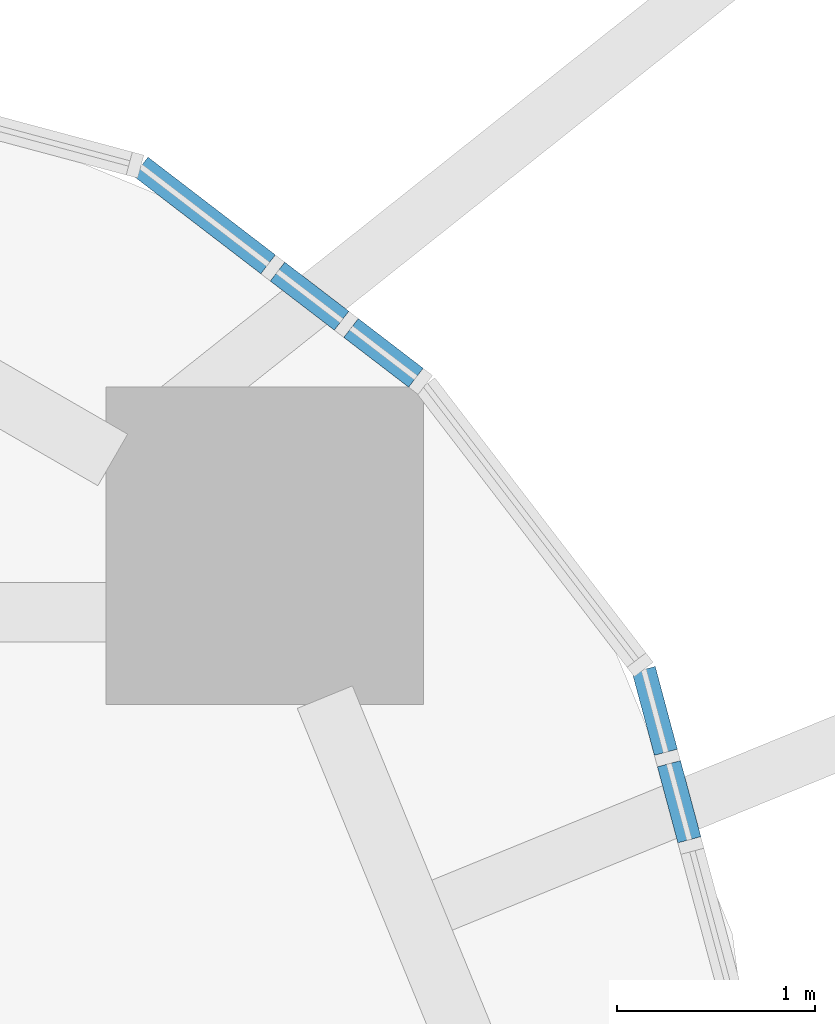
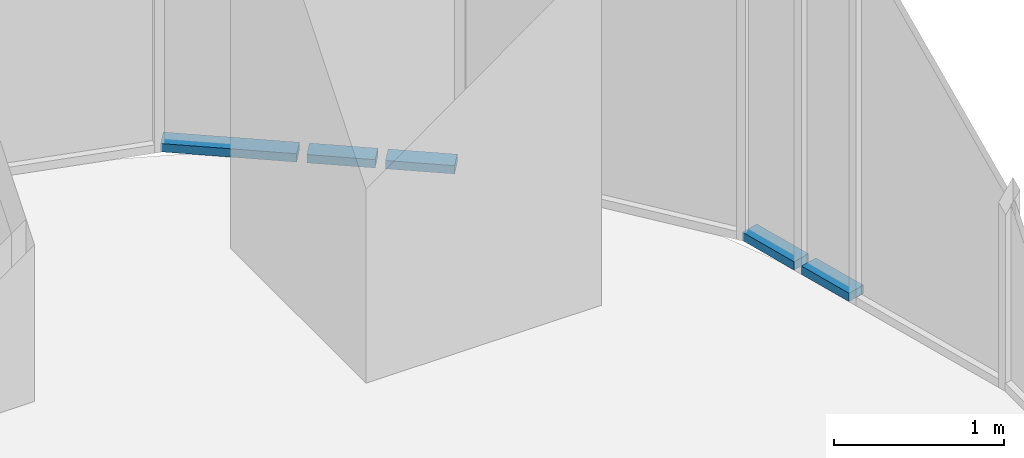
# One storey, part 18 of 36: 5 members, 5 elements without a shape of their own.
"""IFC4 building model written with IfcOpenShell, lengths in metres."""

from ifc_helpers import new_model, si_unit, direction, frame, origin, origin_2d, place, context, subcontext, project, spatial, rectangle, extrude, material, layer, layer_set, material_profile, profile_set, type_object, element, aggregate, save


model = new_model("IFC4")

# Units and contexts
model_context = context("Model", 3, precision=1e-05, world=origin(), true_north=direction((0.0, 1.0)))
body_context = subcontext(model_context, "Body", "Model", "MODEL_VIEW")
ifc_project = project(units=[si_unit("LENGTHUNIT", "METRE"), si_unit("AREAUNIT", "SQUARE_METRE"), si_unit("VOLUMEUNIT", "CUBIC_METRE"), si_unit("PLANEANGLEUNIT", "RADIAN"), si_unit("MASSUNIT", "GRAM", prefix="KILO")], contexts=[model_context])

# Site, building, storey
site_placement = place(None, origin())
site = spatial("IfcSite", under=ifc_project, at=site_placement, CompositionType="ELEMENT")
building_placement = place(site_placement, origin())
building = spatial("IfcBuilding", under=site, at=building_placement, Name="Marenta Gate Hotel Tower", CompositionType="ELEMENT")
storey_placement = place(building_placement, frame((0.0, 0.0, 144.5)))
storey = spatial("IfcBuildingStorey", under=building, at=storey_placement, Name="L33", CompositionType="ELEMENT", Elevation=144.5)

# Curtain wall, member
ifc_material_1 = material(Name="Tinted insulated glass in bronze anodised frame", Category="glass")
ifc_layer = layer(ifc_material_1, 0.1201171875)
ifc_layer_set = layer_set([ifc_layer], Name="Tinted insulated glass in bronze anodised frame")
curtain_wall_type = type_object("IfcCurtainWallType", Name="Tower unitised curtain wall CW1", PredefinedType="NOTDEFINED", material=ifc_layer_set)
curtain_wall_1_placement = place(storey_placement, origin())
curtain_wall_1 = element("IfcCurtainWall", 1, at=curtain_wall_1_placement, inside=storey, type_object=curtain_wall_type, Name="CW1 run G37", PredefinedType="NOTDEFINED")
ifc_material_2 = material(Name="Bronze anodised aluminium", Category="aluminium")
ifc_material_profile = material_profile(ifc_material_2, rectangle(XDim=0.1201171875, YDim=0.06005859375, at=origin_2d()), Name="Transom CW1 60x120 bronze anodised aluminium")
ifc_profile_set = profile_set([ifc_material_profile], Name="Bronze anodised aluminium")
member_type = type_object("IfcMemberType", Name="Transom CW1 60x120 bronze anodised aluminium", PredefinedType="USERDEFINED", material=ifc_profile_set)
member_1_placement = place(storey_placement, frame((26.97607421875, 24.053466796875, 0.030029296875), z_axis=(-0.259156577662, 0.965835321499, 0.0), x_axis=(-0.965835321499, -0.259156577662, 0.0)))
member_1 = element("IfcMember", 2, at=member_1_placement, type_object=member_type, Name="CW1 transom 1.1", ObjectType="TRANSOM", PredefinedType="USERDEFINED", context=body_context, shape_type="SweptSolid", body=[
    extrude(rectangle(XDim=0.1201171875, YDim=0.06005859375, at=origin_2d()), origin(), (0.0, 0.0, 1.0), 0.396728515625),
])
aggregate(curtain_wall_1, [member_1])

curtain_wall_2_placement = place(storey_placement, origin())
curtain_wall_2 = element("IfcCurtainWall", 3, at=curtain_wall_2_placement, inside=storey, type_object=curtain_wall_type, Name="CW1 run G38", PredefinedType="NOTDEFINED")
member_2_placement = place(storey_placement, frame((26.857666015625, 24.49462890625, 0.030029296875), z_axis=(-0.258613509278, 0.965980876011, 0.0), x_axis=(-0.965980876011, -0.258613509278, 0.0)))
member_2 = element("IfcMember", 4, at=member_2_placement, type_object=member_type, Name="CW1 transom 1.1", ObjectType="TRANSOM", PredefinedType="USERDEFINED", context=body_context, shape_type="SweptSolid", body=[
    extrude(rectangle(XDim=0.1201171875, YDim=0.06005859375, at=origin_2d()), origin(), (0.0, 0.0, 1.0), 0.431396484375),
])
aggregate(curtain_wall_2, [member_2])

curtain_wall_3_placement = place(storey_placement, origin())
curtain_wall_3 = element("IfcCurtainWall", 5, at=curtain_wall_3_placement, inside=storey, type_object=curtain_wall_type, Name="CW1 run G40", PredefinedType="NOTDEFINED")
member_3_placement = place(storey_placement, frame((25.597900390625, 26.382080078125, 0.030029296875), z_axis=(-0.793482352244, 0.608593260459, 0.0), x_axis=(-0.608593260459, -0.793482352244, 0.0)))
member_3 = element("IfcMember", 6, at=member_3_placement, type_object=member_type, Name="CW1 transom 1.1", ObjectType="TRANSOM", PredefinedType="USERDEFINED", context=body_context, shape_type="SweptSolid", body=[
    extrude(rectangle(XDim=0.1201171875, YDim=0.06005859375, at=origin_2d()), origin(), (0.0, 0.0, 1.0), 0.411865234375),
])
aggregate(curtain_wall_3, [member_3])

curtain_wall_4_placement = place(storey_placement, origin())
curtain_wall_4 = element("IfcCurtainWall", 7, at=curtain_wall_4_placement, inside=storey, type_object=curtain_wall_type, Name="CW1 run G41", PredefinedType="NOTDEFINED")
member_4_placement = place(storey_placement, frame((25.223388671875, 26.66943359375, 0.030029296875), z_axis=(-0.793471096038, 0.608607935992, 0.0), x_axis=(-0.608607935992, -0.793471096038, 0.0)))
member_4 = element("IfcMember", 8, at=member_4_placement, type_object=member_type, Name="CW1 transom 1.1", ObjectType="TRANSOM", PredefinedType="USERDEFINED", context=body_context, shape_type="SweptSolid", body=[
    extrude(rectangle(XDim=0.1201171875, YDim=0.06005859375, at=origin_2d()), origin(), (0.0, 0.0, 1.0), 0.40673828125),
])
aggregate(curtain_wall_4, [member_4])

curtain_wall_5_placement = place(storey_placement, origin())
curtain_wall_5 = element("IfcCurtainWall", 9, at=curtain_wall_5_placement, inside=storey, type_object=curtain_wall_type, Name="CW1 run G42", PredefinedType="NOTDEFINED")
member_5_placement = place(storey_placement, frame((24.85302734375, 26.95361328125, 0.030029296875), z_axis=(-0.793397450201, 0.608703939542, 0.0), x_axis=(-0.608703939542, -0.793397450201, 0.0)))
member_5 = element("IfcMember", 10, at=member_5_placement, type_object=member_type, Name="CW1 transom 1.1", ObjectType="TRANSOM", PredefinedType="USERDEFINED", context=body_context, shape_type="SweptSolid", body=[
    extrude(rectangle(XDim=0.1201171875, YDim=0.06005859375, at=origin_2d()), origin(), (0.0, 0.0, 1.0), 0.80908203125),
])
aggregate(curtain_wall_5, [member_5])

save(model, "model.ifc")
